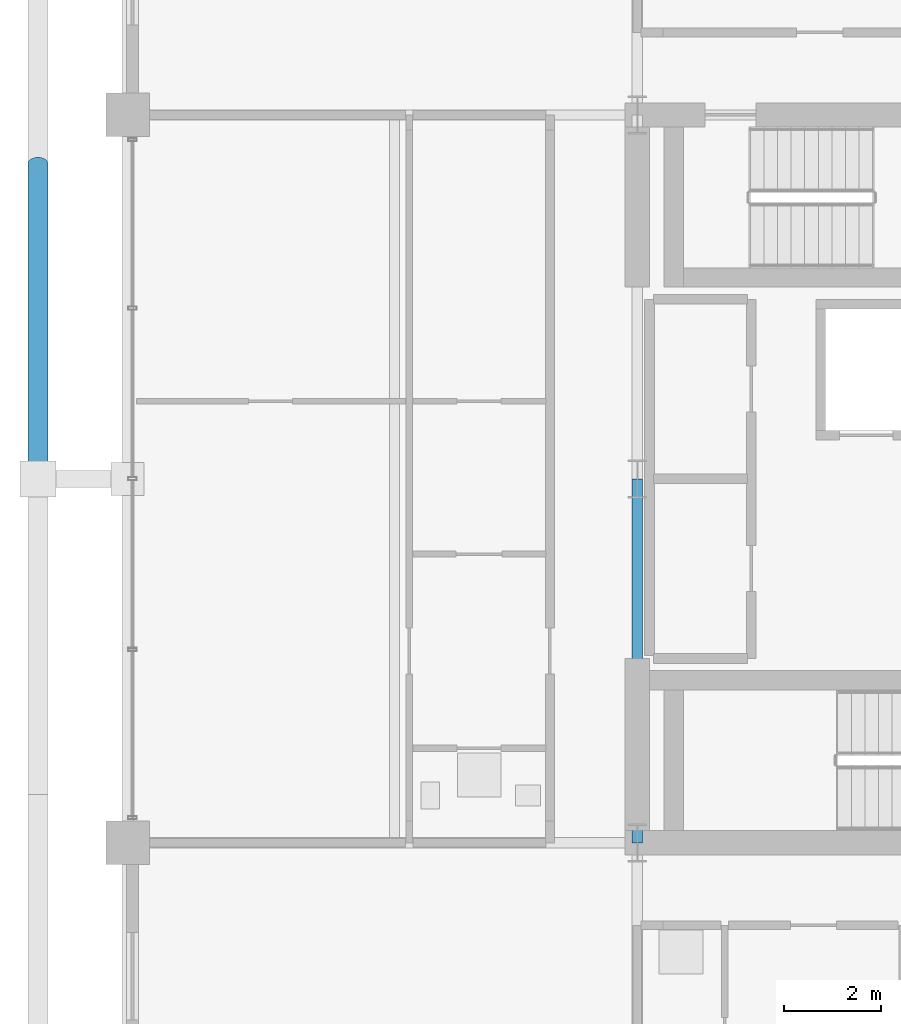
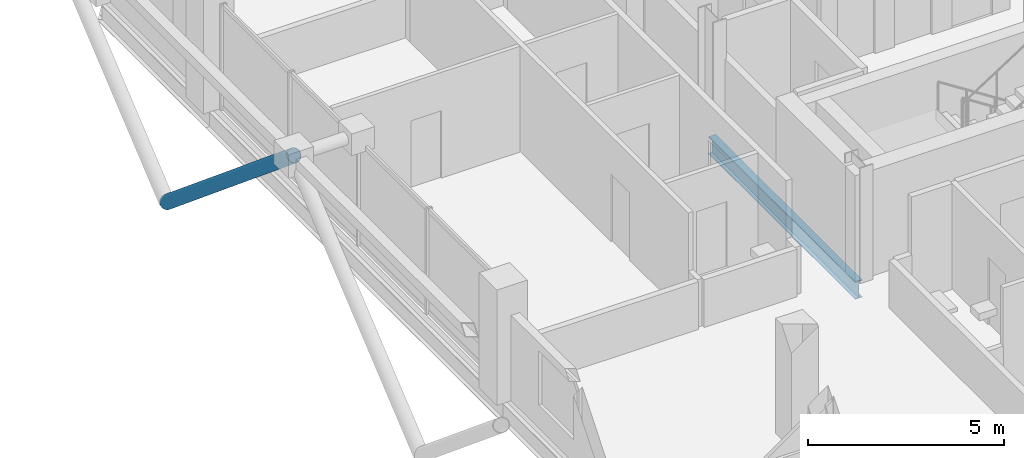
# One storey, part 9 of 25: 1 beam, 1 member.
"""IFC4 building model written with IfcOpenShell, lengths in metres."""

import ifcopenshell
import ifcopenshell.guid

model = None  # the IFC model being written
_history = None  # IfcOwnerHistory: only IFC2X3 demands one
_inside = {}  # id of a spatial element -> (the spatial element, [elements in it])
_under = {}  # id of a project, library or spatial element -> (it, [spatial elements below it])
_declared = {}  # id of a project -> (the project, [libraries it declares])
_typed = {}  # id of a type object -> (the type object, [elements of that type])
_made_of = {}  # id of a material, layer set ... -> (it, [elements and type objects made of it])


def new_model(schema):
    """Start an empty IFC model of exactly this schema.

    Asked for "IFC4X3", IfcOpenShell would pick the latest addendum, in which some entities
    have other attributes; the version numbers below select the first issue.
    IFC2X3 requires an IfcOwnerHistory on every rooted entity: one is made here for all.
    """
    global model, _history
    if schema == "IFC4X3":
        model = ifcopenshell.file(schema_version=(4, 3, 0, 0))
    else:
        model = ifcopenshell.file(schema=schema)
    _inside.clear()
    _under.clear()
    _declared.clear()
    _typed.clear()
    _made_of.clear()
    _history = None
    if model.schema == "IFC2X3":
        org = make("IfcOrganization", Name="unknown")
        user = make(
            "IfcPersonAndOrganization",
            ThePerson=make("IfcPerson", FamilyName="unknown"),
            TheOrganization=org,
        )
        app = make(
            "IfcApplication",
            ApplicationDeveloper=org,
            Version="unknown",
            ApplicationFullName="unknown",
            ApplicationIdentifier="unknown",
        )
        _history = make(
            "IfcOwnerHistory",
            OwningUser=user,
            OwningApplication=app,
            ChangeAction="ADDED",
            CreationDate=0,
        )
    return model


def make(cls, **values):
    """One entity of the class cls with the attributes given. An attribute that is None is left unset."""
    return model.create_entity(
        cls, **{name: value for name, value in values.items() if value is not None}
    )


def rooted(cls, **values):
    """An entity with a GlobalId (a new one), such as an element, a storey or a relation."""
    return make(cls, GlobalId=ifcopenshell.guid.new(), OwnerHistory=_history, **values)


def si_unit(unit_type, name, prefix=None):
    """IfcSIUnit, for example si_unit("LENGTHUNIT", "METRE", prefix="MILLI")."""
    return make("IfcSIUnit", UnitType=unit_type, Prefix=prefix, Name=name)


def assignment(units):
    """IfcUnitAssignment: the units of a project."""
    return None if units is None else make("IfcUnitAssignment", Units=units)


def point(xyz):
    """IfcCartesianPoint."""
    return None if xyz is None else make("IfcCartesianPoint", Coordinates=xyz)


def direction(xyz):
    """IfcDirection."""
    return None if xyz is None else make("IfcDirection", DirectionRatios=xyz)


def frame(location, z_axis=None, x_axis=None):
    """IfcAxis2Placement3D, a coordinate frame: its origin and axes. An axis left out is left unset."""
    return make(
        "IfcAxis2Placement3D",
        Location=point(location),
        Axis=direction(z_axis),
        RefDirection=direction(x_axis),
    )


def frame_2d(location, x_axis=None):
    """IfcAxis2Placement2D, a coordinate frame in the plane: its origin and x axis."""
    return make(
        "IfcAxis2Placement2D", Location=point(location), RefDirection=direction(x_axis)
    )


def origin():
    """The frame at (0, 0, 0) with its axes left unset."""
    return frame((0.0, 0.0, 0.0))


def origin_2d():
    """The frame at (0, 0) in the plane with its x axis left unset."""
    return frame_2d((0.0, 0.0))


def place(relative_to, where):
    """IfcLocalPlacement: puts the frame where relative to a parent placement (None: the world)."""
    return make(
        "IfcLocalPlacement", PlacementRelTo=relative_to, RelativePlacement=where
    )


def context(
    kind, dimensions, precision=None, world=None, true_north=None, identifier=None
):
    """IfcGeometricRepresentationContext, for example the 3D "Model" context."""
    return make(
        "IfcGeometricRepresentationContext",
        ContextIdentifier=identifier,
        ContextType=kind,
        CoordinateSpaceDimension=dimensions,
        Precision=precision,
        WorldCoordinateSystem=world,
        TrueNorth=true_north,
    )


def subcontext(parent, identifier, kind, view, scale=None):
    """IfcGeometricRepresentationSubContext, for example "Body" below "Model"."""
    return make(
        "IfcGeometricRepresentationSubContext",
        ContextIdentifier=identifier,
        ContextType=kind,
        ParentContext=parent,
        TargetScale=scale,
        TargetView=view,
    )


def project(units=None, contexts=None):
    """IfcProject with its units and contexts."""
    return rooted(
        "IfcProject",
        Name="project",
        RepresentationContexts=contexts,
        UnitsInContext=assignment(units),
    )


def spatial(cls, under=None, at=None, **own):
    """A site, building, storey or space (cls), placed at a placement, below another one or the project."""
    s = rooted(cls, ObjectPlacement=at, **own)
    if under is not None:
        _under.setdefault(under.id(), (under, []))[1].append(s)
    return s


def profile(cls, at=None, kind="AREA", **sizes):
    """A parametric profile (cls). Its sizes go by their IFC names, for example OverallWidth=200.0."""
    return make(cls, ProfileType=kind, Position=at, **sizes)


def hollow_circle(**sizes):
    """IfcCircleHollowProfileDef."""
    return profile("IfcCircleHollowProfileDef", **sizes)


def i_section(**sizes):
    """IfcIShapeProfileDef."""
    return profile("IfcIShapeProfileDef", **sizes)


def extrude(swept, where, along, depth):
    """IfcExtrudedAreaSolid: the profile swept, set in the frame where, extruded along a direction by depth."""
    return make(
        "IfcExtrudedAreaSolid",
        SweptArea=swept,
        Position=where,
        ExtrudedDirection=direction(along),
        Depth=depth,
    )


def shape(context_of_items, identifier, shape_type, items):
    """IfcShapeRepresentation: the items that make up one representation, for example the "Body"."""
    return make(
        "IfcShapeRepresentation",
        ContextOfItems=context_of_items,
        RepresentationIdentifier=identifier,
        RepresentationType=shape_type,
        Items=items,
    )


def material(Name=None, Category=None):
    """IfcMaterial."""
    return make("IfcMaterial", Name=Name, Category=Category)


def material_profile(
    of_material, cross_section, Name=None, Category=None, Priority=None
):
    """IfcMaterialProfile: a cross section and its material."""
    return make(
        "IfcMaterialProfile",
        Name=Name,
        Material=of_material,
        Profile=cross_section,
        Priority=Priority,
        Category=Category,
    )


def profile_set(profiles, Name=None, composite=None):
    """IfcMaterialProfileSet."""
    return make(
        "IfcMaterialProfileSet",
        Name=Name,
        MaterialProfiles=profiles,
        CompositeProfile=composite,
    )


def made_of(thing, what):
    """Note that an element or type object is made of a material, layer set ...; save() writes the relation."""
    if what is not None:
        _made_of.setdefault(what.id(), (what, []))[1].append(thing)
    return thing


def type_object(cls, material=None, **own):
    """A type object (cls), such as IfcWallType, which elements share."""
    return made_of(rooted(cls, **own), material)


def element(
    cls,
    number,
    at=None,
    inside=None,
    cuts=None,
    type_object=None,
    material=None,
    context=None,
    identifier="Body",
    shape_type=None,
    held_by="IfcProductDefinitionShape",
    body=None,
    shapes=None,
    **own,
):
    """One element of the class cls, such as IfcWall. Its Tag is "e" and its number.

    at: its placement. inside: the storey or other place that contains it. cuts: it is an
    opening in that element (IfcRelVoidsElement). A single representation is given by context,
    identifier, shape_type and body (its items); several are given by shapes. held_by: the class
    of the entity that holds the representations. save() writes the other relations.
    """
    e = rooted(cls, Tag="e%d" % number, ObjectPlacement=at, **own)
    if body is not None:
        shapes = [shape(context, identifier, shape_type, body)]
    if shapes is not None:
        e.Representation = make(held_by, Representations=shapes)
    if inside is not None:
        _inside.setdefault(inside.id(), (inside, []))[1].append(e)
    if cuts is not None:
        rooted(
            "IfcRelVoidsElement", RelatingBuildingElement=cuts, RelatedOpeningElement=e
        )
    if type_object is not None:
        _typed.setdefault(type_object.id(), (type_object, []))[1].append(e)
    return made_of(e, material)


def aggregate(whole, parts):
    """IfcRelAggregates: a whole, such as a stair, and the parts it consists of."""
    return rooted("IfcRelAggregates", RelatingObject=whole, RelatedObjects=parts)


def save(model, path):
    """Write the relations noted so far, then the file.

    IfcRelAggregates (storeys below a building ...), IfcRelContainedInSpatialStructure (elements
    in a storey), IfcRelDefinesByType, IfcRelAssociatesMaterial and IfcRelDeclares: one each for
    every whole, place, type object, material and project.
    """
    for whole, parts in _under.values():
        aggregate(whole, parts)
    for where, things in _inside.values():
        rooted(
            "IfcRelContainedInSpatialStructure",
            RelatedElements=things,
            RelatingStructure=where,
        )
    for kind, things in _typed.values():
        rooted("IfcRelDefinesByType", RelatedObjects=things, RelatingType=kind)
    for what, things in _made_of.values():
        rooted("IfcRelAssociatesMaterial", RelatedObjects=things, RelatingMaterial=what)
    for by, libraries in _declared.values():
        rooted("IfcRelDeclares", RelatingContext=by, RelatedDefinitions=libraries)
    model.write(path)


model = new_model("IFC4")

# Units and contexts
model_context = context("Model", 3, precision=1e-05, world=origin(), true_north=direction((0.0, 1.0)))
body_context = subcontext(model_context, "Body", "Model", "MODEL_VIEW")
ifc_project = project(units=[si_unit("LENGTHUNIT", "METRE"), si_unit("AREAUNIT", "SQUARE_METRE"), si_unit("VOLUMEUNIT", "CUBIC_METRE"), si_unit("PLANEANGLEUNIT", "RADIAN"), si_unit("MASSUNIT", "GRAM", prefix="KILO")], contexts=[model_context])

# Site, building, storey
site_placement = place(None, origin())
site = spatial("IfcSite", under=ifc_project, at=site_placement, CompositionType="ELEMENT")
building_placement = place(site_placement, origin())
building = spatial("IfcBuilding", under=site, at=building_placement, Name="Barlavira Tower and Art Museum", CompositionType="ELEMENT")
storey_placement = place(building_placement, frame((0.0, 0.0, 301.5)))
storey = spatial("IfcBuildingStorey", under=building, at=storey_placement, Name="L79", CompositionType="ELEMENT", Elevation=301.5)

# Member
ifc_material = material(Name="Steel S355", Category="steel")
ifc_material_profile_1 = material_profile(ifc_material, hollow_circle(Radius=0.203125, WallThickness=0.01611328125, at=origin_2d()), Name="CHS 406.4x16.0")
ifc_profile_set_1 = profile_set([ifc_material_profile_1], Name="Steel S355")
member_type = type_object("IfcMemberType", Name="Pale-Metal Exoskeleton Diagrid Tube CHS 406x16 Steel S355", PredefinedType="BRACE", material=ifc_profile_set_1)
member_placement = place(storey_placement, frame((-18.85009765625, 6.5, -1.919921875), z_axis=(0.0, -0.769196053329, 0.639012857104), x_axis=(1.0, 0.0, 0.0)))
element("IfcMember", 1, at=member_placement, inside=storey, type_object=member_type, Name="L79 Exoskeleton Diagrid Tube W", PredefinedType="BRACE", context=body_context, shape_type="SweptSolid", body=[
    extrude(hollow_circle(Radius=0.203125, WallThickness=0.01611328125, at=origin_2d()), origin(), (0.0, 0.0, 1.0), 8.450439453125),
])

# Beam
ifc_material_profile_2 = material_profile(ifc_material, i_section(OverallWidth=0.2109375, OverallDepth=0.5390625, WebThickness=0.01171875, FlangeThickness=0.018798828125, at=origin_2d()), Name="W530x109.0")
ifc_profile_set_2 = profile_set([ifc_material_profile_2], Name="Steel S355")
beam_type = type_object("IfcBeamType", Name="Zone 3-4 Primary Floor Girder W530x109 Steel S355", PredefinedType="BEAM", material=ifc_profile_set_2)
beam_placement = place(storey_placement, frame((-6.5, -7.5, -0.489501953125), z_axis=(0.0, 1.0, 0.0), x_axis=(-1.0, 0.0, 0.0)))
element("IfcBeam", 2, at=beam_placement, inside=storey, type_object=beam_type, Name="L79 Girder C-W1", PredefinedType="BEAM", context=body_context, shape_type="SweptSolid", body=[
    extrude(i_section(OverallWidth=0.2109375, OverallDepth=0.5390625, WebThickness=0.01171875, FlangeThickness=0.018798828125, at=origin_2d()), origin(), (0.0, 0.0, 1.0), 7.5),
])

save(model, "model.ifc")
